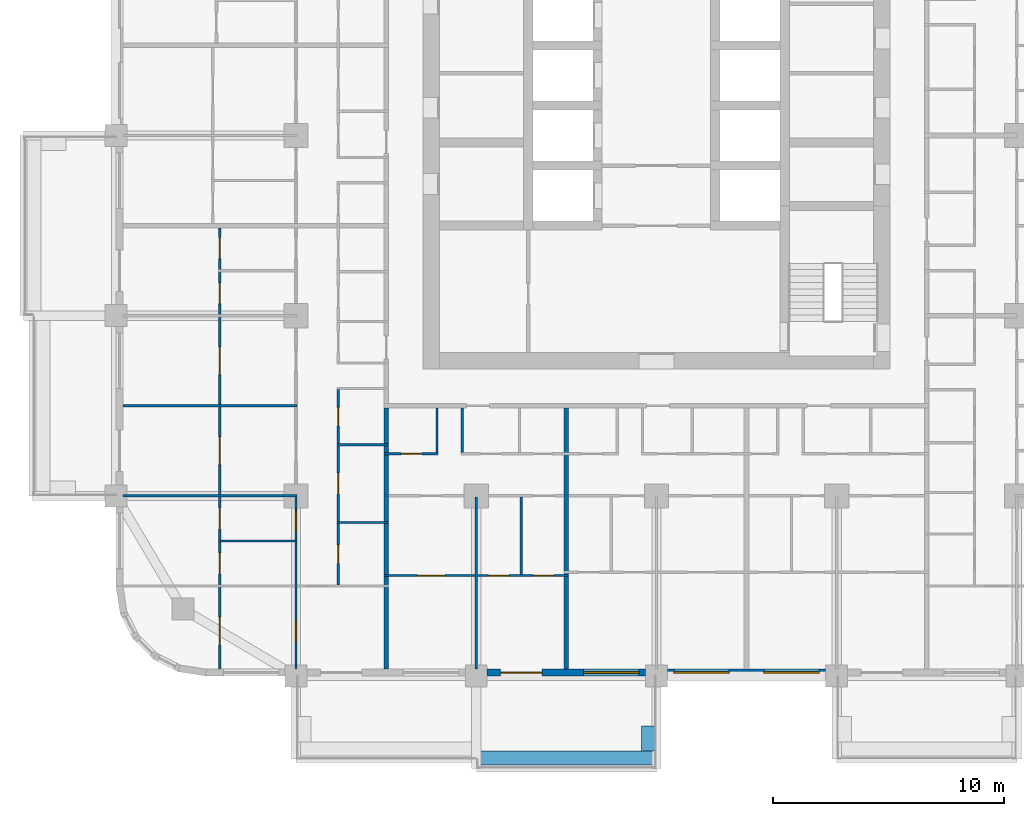
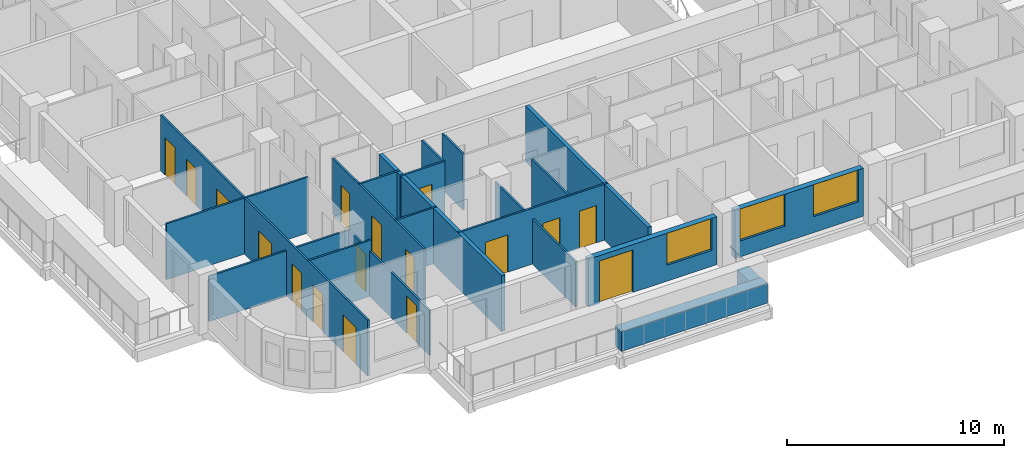
# One storey, part 3 of 18: 20 walls, 17 doors, 3 windows, 20 openings.
"""IFC4 building model written with IfcOpenShell, lengths in metres."""

from ifc_helpers import new_model, si_unit, direction, frame, frame_2d, origin, place, context, subcontext, project, spatial, rectangle, extrude, material, layer, layer_set, type_object, element, fill, save


model = new_model("IFC4")

# Units and contexts
model_context = context("Model", 3, precision=1e-05, world=origin(), true_north=direction((0.0, 1.0)))
body_context = subcontext(model_context, "Body", "Model", "MODEL_VIEW")
ifc_project = project(units=[si_unit("LENGTHUNIT", "METRE"), si_unit("AREAUNIT", "SQUARE_METRE"), si_unit("VOLUMEUNIT", "CUBIC_METRE"), si_unit("PLANEANGLEUNIT", "RADIAN"), si_unit("MASSUNIT", "GRAM", prefix="KILO")], contexts=[model_context])

# Site, building, storey
site_placement = place(None, origin())
site = spatial("IfcSite", under=ifc_project, at=site_placement, CompositionType="ELEMENT")
building_placement = place(site_placement, origin())
building = spatial("IfcBuilding", under=site, at=building_placement, Name="Ludao Terraces", CompositionType="ELEMENT")
storey_placement = place(building_placement, frame((0.0, 0.0, 61.39990234375)))
storey = spatial("IfcBuildingStorey", under=building, at=storey_placement, Name="L16", CompositionType="ELEMENT", Elevation=61.39990234375)

# Walls
ifc_material_1 = material(Name="Concrete C40", Category="concrete")
ifc_layer_1 = layer(ifc_material_1, 0.60009765625)
ifc_layer_set_1 = layer_set([ifc_layer_1], Name="ENV Planter trough 600")
wall_type_1 = type_object("IfcWallType", Name="ENV Planter trough 600", PredefinedType="USERDEFINED", material=ifc_layer_set_1)
wall_1_placement = place(storey_placement, frame((77.199951171875, 38.050048828125, 0.0), z_axis=(0.0, 0.0, 1.0), x_axis=(1.0, 0.0, 0.0)))
element("IfcWall", 1, at=wall_1_placement, inside=storey, type_object=wall_type_1, Name="PL-L16-S2", ObjectType="PLANTER", PredefinedType="USERDEFINED", context=body_context, shape_type="SweptSolid", body=[
    extrude(rectangle(XDim=7.800048828125, YDim=0.60009765625, at=frame_2d((3.89990234375, 0.0))), origin(), (0.0, 0.0, 1.0), 1.10009765625),
])
wall_2_placement = place(storey_placement, frame((84.64990234375, 38.35009765625, 0.0), z_axis=(0.0, 0.0, 1.0), x_axis=(0.0, 1.0, 0.0)))
element("IfcWall", 2, at=wall_2_placement, inside=storey, type_object=wall_type_1, Name="PL-L16-S2-SB", ObjectType="PLANTER", PredefinedType="USERDEFINED", context=body_context, shape_type="SweptSolid", body=[
    extrude(rectangle(XDim=1.099853515625, YDim=0.60009765625, at=frame_2d((0.5498046875, 0.0))), origin(), (0.0, 0.0, 1.0), 1.10009765625),
])

# Wall, openings, door, window
ifc_material_2 = material(Name="Granite cladding", Category="masonry")
ifc_layer_2 = layer(ifc_material_2, 0.0400390625, Category="stone")
ifc_material_3 = material(Name="Mineral wool")
ifc_layer_3 = layer(ifc_material_3, 0.06005859375)
ifc_layer_4 = layer(ifc_material_1, 0.199951171875, Category="concrete")
ifc_layer_set_2 = layer_set([ifc_layer_2, ifc_layer_3, ifc_layer_4], Name="ENV Stone-clad wall 300")
wall_type_2 = type_object("IfcWallType", Name="ENV Stone-clad wall 300", PredefinedType="SOLIDWALL", material=ifc_layer_set_2)
wall_3_placement = place(storey_placement, frame((77.675048828125, 41.75, 0.0), z_axis=(0.0, 0.0, 1.0), x_axis=(1.0, 0.0, 0.0)))
wall_3 = element("IfcWall", 3, at=wall_3_placement, inside=storey, type_object=wall_type_2, Name="EW-L16-S3", PredefinedType="SOLIDWALL", context=body_context, shape_type="SweptSolid", body=[
    extrude(rectangle(XDim=6.849853515625, YDim=0.300048828125, at=frame_2d((3.4248046875, 0.0))), origin(), (0.0, 0.0, 1.0), 2.7001953125),
])
opening_1_placement = place(wall_3_placement, frame((0.574951171875, 0.0, 0.0)))
opening_1 = element("IfcOpeningElement", 4, at=opening_1_placement, cuts=wall_3, Name="Opening BD", PredefinedType="OPENING", context=body_context, shape_type="SweptSolid", body=[
    extrude(rectangle(XDim=1.800048828125, YDim=2.39990234375, at=frame_2d((0.89990234375, 1.199951171875))), frame((0.0, 0.16015625, 0.0), z_axis=(0.0, -1.0, 0.0), x_axis=(1.0, 0.0, 0.0)), (0.0, 0.0, 1.0), 0.320068359375),
])
opening_2_placement = place(wall_3_placement, frame((4.175048828125, 0.0, 0.89990234375)))
opening_2 = element("IfcOpeningElement", 5, at=opening_2_placement, cuts=wall_3, Name="Opening W1", PredefinedType="OPENING", context=body_context, shape_type="SweptSolid", body=[
    extrude(rectangle(XDim=2.39990234375, YDim=1.800048828125, at=frame_2d((1.199951171875, 0.89990234375))), frame((0.0, 0.16015625, 0.0), z_axis=(0.0, -1.0, 0.0), x_axis=(1.0, 0.0, 0.0)), (0.0, 0.0, 1.0), 0.320068359375),
])
ifc_material_4 = material(Name="Aluminium glazed door", Category="aluminium")
ifc_layer_5 = layer(ifc_material_4, 0.06005859375)
ifc_layer_set_3 = layer_set([ifc_layer_5], Name="ENV Balcony door BD 1800x2400")
door_type_1 = type_object("IfcDoorType", Name="ENV Balcony door BD 1800x2400", OperationType="DOUBLE_DOOR_SINGLE_SWING", PredefinedType="DOOR", material=ifc_layer_set_3)
door_1_placement = place(opening_1_placement, origin())
door_1 = element("IfcDoor", 6, at=door_1_placement, inside=storey, type_object=door_type_1, Name="BD-L16-S3-1", OperationType="DOUBLE_DOOR_SINGLE_SWING", OverallHeight=2.39990234375, OverallWidth=1.800048828125, PredefinedType="DOOR", context=body_context, shape_type="SweptSolid", body=[
    extrude(rectangle(XDim=1.800048828125, YDim=2.39990234375, at=frame_2d((0.89990234375, 1.199951171875))), frame((0.0, 0.02490234375, 0.0), z_axis=(0.0, -1.0, 0.0), x_axis=(1.0, 0.0, 0.0)), (0.0, 0.0, 1.0), 0.050048828125),
])
fill(opening_1, door_1)
ifc_material_5 = material(Name="Clear glass in aluminium frame", Category="aluminium")
ifc_layer_6 = layer(ifc_material_5, 0.06005859375)
ifc_layer_set_4 = layer_set([ifc_layer_6], Name="ENV Window W1 2400x1800")
window_type = type_object("IfcWindowType", Name="ENV Window W1 2400x1800", PartitioningType="DOUBLE_PANEL_VERTICAL", PredefinedType="WINDOW", material=ifc_layer_set_4)
window_1_placement = place(opening_2_placement, origin())
window_1 = element("IfcWindow", 7, at=window_1_placement, inside=storey, type_object=window_type, Name="W-L16-S3-2", OverallHeight=1.800048828125, OverallWidth=2.39990234375, PartitioningType="DOUBLE_PANEL_VERTICAL", PredefinedType="WINDOW", context=body_context, shape_type="SweptSolid", body=[
    extrude(rectangle(XDim=2.39990234375, YDim=1.800048828125, at=frame_2d((1.199951171875, 0.89990234375))), frame((0.0, 0.030029296875, 0.0), z_axis=(0.0, -1.0, 0.0), x_axis=(1.0, 0.0, 0.0)), (0.0, 0.0, 1.0), 0.06005859375),
])
fill(opening_2, window_1)

# Wall, openings, windows
wall_4_placement = place(storey_placement, frame((85.47509765625, 41.75, 0.0), z_axis=(0.0, 0.0, 1.0), x_axis=(1.0, 0.0, 0.0)))
wall_4 = element("IfcWall", 8, at=wall_4_placement, inside=storey, type_object=wall_type_2, Name="EW-L16-S4", PredefinedType="SOLIDWALL", context=body_context, shape_type="SweptSolid", body=[
    extrude(rectangle(XDim=6.849853515625, YDim=0.300048828125, at=frame_2d((3.4248046875, 0.0))), origin(), (0.0, 0.0, 1.0), 2.7001953125),
])
opening_3_placement = place(wall_4_placement, frame((0.27490234375, 0.0, 0.89990234375)))
opening_3 = element("IfcOpeningElement", 9, at=opening_3_placement, cuts=wall_4, Name="Opening W1", PredefinedType="OPENING", context=body_context, shape_type="SweptSolid", body=[
    extrude(rectangle(XDim=2.39990234375, YDim=1.800048828125, at=frame_2d((1.199951171875, 0.89990234375))), frame((0.0, 0.16015625, 0.0), z_axis=(0.0, -1.0, 0.0), x_axis=(1.0, 0.0, 0.0)), (0.0, 0.0, 1.0), 0.320068359375),
])
opening_4_placement = place(wall_4_placement, frame((4.175048828125, 0.0, 0.89990234375)))
opening_4 = element("IfcOpeningElement", 10, at=opening_4_placement, cuts=wall_4, Name="Opening W1", PredefinedType="OPENING", context=body_context, shape_type="SweptSolid", body=[
    extrude(rectangle(XDim=2.39990234375, YDim=1.800048828125, at=frame_2d((1.199951171875, 0.89990234375))), frame((0.0, 0.16015625, 0.0), z_axis=(0.0, -1.0, 0.0), x_axis=(1.0, 0.0, 0.0)), (0.0, 0.0, 1.0), 0.320068359375),
])
window_2_placement = place(opening_3_placement, origin())
window_2 = element("IfcWindow", 11, at=window_2_placement, inside=storey, type_object=window_type, Name="W-L16-S4-1", OverallHeight=1.800048828125, OverallWidth=2.39990234375, PartitioningType="DOUBLE_PANEL_VERTICAL", PredefinedType="WINDOW", context=body_context, shape_type="SweptSolid", body=[
    extrude(rectangle(XDim=2.39990234375, YDim=1.800048828125, at=frame_2d((1.199951171875, 0.89990234375))), frame((0.0, 0.030029296875, 0.0), z_axis=(0.0, -1.0, 0.0), x_axis=(1.0, 0.0, 0.0)), (0.0, 0.0, 1.0), 0.06005859375),
])
fill(opening_3, window_2)
window_3_placement = place(opening_4_placement, origin())
window_3 = element("IfcWindow", 12, at=window_3_placement, inside=storey, type_object=window_type, Name="W-L16-S4-2", OverallHeight=1.800048828125, OverallWidth=2.39990234375, PartitioningType="DOUBLE_PANEL_VERTICAL", PredefinedType="WINDOW", context=body_context, shape_type="SweptSolid", body=[
    extrude(rectangle(XDim=2.39990234375, YDim=1.800048828125, at=frame_2d((1.199951171875, 0.89990234375))), frame((0.0, 0.030029296875, 0.0), z_axis=(0.0, -1.0, 0.0), x_axis=(1.0, 0.0, 0.0)), (0.0, 0.0, 1.0), 0.06005859375),
])
fill(opening_4, window_3)

# Wall, openings, doors
ifc_material_6 = material(Name="Gypsum plasterboard", Category="gypsum")
ifc_layer_7 = layer(ifc_material_6, 0.012451171875, Category="gypsum")
ifc_layer_8 = layer(ifc_material_3, 0.06005859375, Name="insulation")
ifc_material_7 = material(Name="Steel Q235", Category="steel")
ifc_layer_9 = layer(ifc_material_7, 0.014892578125, Name="stud")
ifc_layer_10 = layer(ifc_material_6, 0.012451171875, Category="gypsum")
ifc_layer_set_5 = layer_set([ifc_layer_7, ifc_layer_8, ifc_layer_9, ifc_layer_10], Name="INT Partition 100")
wall_type_3 = type_object("IfcWallType", Name="INT Partition 100", PredefinedType="PARTITIONING", material=ifc_layer_set_5)
wall_5_placement = place(storey_placement, frame((73.2001953125, 45.949951171875, 0.0), z_axis=(0.0, 0.0, 1.0), x_axis=(1.0, 0.0, 0.0)))
wall_5 = element("IfcWall", 13, at=wall_5_placement, inside=storey, type_object=wall_type_3, Name="PW-L16-PW002", PredefinedType="PARTITIONING", context=body_context, shape_type="SweptSolid", body=[
    extrude(rectangle(XDim=8.0, YDim=0.10009765625, at=frame_2d((4.0, 0.0))), origin(), (0.0, 0.0, 1.0), 3.150146484375),
])
opening_5_placement = place(wall_5_placement, frame((1.449951171875, 0.0, 0.0)))
opening_5 = element("IfcOpeningElement", 14, at=opening_5_placement, cuts=wall_5, Name="Opening R05-007", PredefinedType="OPENING", context=body_context, shape_type="SweptSolid", body=[
    extrude(rectangle(XDim=1.199951171875, YDim=2.10009765625, at=frame_2d((0.60009765625, 1.050048828125))), frame((0.0, 0.06005859375, 0.0), z_axis=(0.0, -1.0, 0.0), x_axis=(1.0, 0.0, 0.0)), (0.0, 0.0, 1.0), 0.1201171875),
])
opening_6_placement = place(wall_5_placement, frame((4.52490234375, 0.0, 0.0)))
opening_6 = element("IfcOpeningElement", 15, at=opening_6_placement, cuts=wall_5, Name="Opening R05-008", PredefinedType="OPENING", context=body_context, shape_type="SweptSolid", body=[
    extrude(rectangle(XDim=0.89990234375, YDim=2.10009765625, at=frame_2d((0.449951171875, 1.050048828125))), frame((0.0, 0.06005859375, 0.0), z_axis=(0.0, -1.0, 0.0), x_axis=(1.0, 0.0, 0.0)), (0.0, 0.0, 1.0), 0.1201171875),
])
opening_7_placement = place(wall_5_placement, frame((6.474853515625, 0.0, 0.0)))
opening_7 = element("IfcOpeningElement", 16, at=opening_7_placement, cuts=wall_5, Name="Opening R05-009", PredefinedType="OPENING", context=body_context, shape_type="SweptSolid", body=[
    extrude(rectangle(XDim=0.89990234375, YDim=2.10009765625, at=frame_2d((0.449951171875, 1.050048828125))), frame((0.0, 0.06005859375, 0.0), z_axis=(0.0, -1.0, 0.0), x_axis=(1.0, 0.0, 0.0)), (0.0, 0.0, 1.0), 0.1201171875),
])
ifc_material_8 = material(Name="Timber door leaf", Category="wood")
door_type_2 = type_object("IfcDoorType", Name="INT Bathroom door 900", OperationType="SINGLE_SWING_LEFT", PredefinedType="DOOR", material=ifc_material_8)
door_2_placement = place(opening_6_placement, origin())
door_2 = element("IfcDoor", 17, at=door_2_placement, inside=storey, type_object=door_type_2, Name="DOOR 008", OperationType="SINGLE_SWING_LEFT", OverallHeight=2.10009765625, OverallWidth=0.89990234375, PredefinedType="DOOR", context=body_context, shape_type="SweptSolid", body=[
    extrude(rectangle(XDim=0.89990234375, YDim=2.10009765625, at=frame_2d((0.449951171875, 1.050048828125))), frame((0.0, 0.02490234375, 0.0), z_axis=(0.0, -1.0, 0.0), x_axis=(1.0, 0.0, 0.0)), (0.0, 0.0, 1.0), 0.050048828125),
])
fill(opening_6, door_2)
door_type_3 = type_object("IfcDoorType", Name="INT Double door 1200", OperationType="DOUBLE_DOOR_SINGLE_SWING", PredefinedType="DOOR", material=ifc_material_8)
door_3_placement = place(opening_5_placement, origin())
door_3 = element("IfcDoor", 18, at=door_3_placement, inside=storey, type_object=door_type_3, Name="DOOR 007", OperationType="DOUBLE_DOOR_SINGLE_SWING", OverallHeight=2.10009765625, OverallWidth=1.199951171875, PredefinedType="DOOR", context=body_context, shape_type="SweptSolid", body=[
    extrude(rectangle(XDim=1.199951171875, YDim=2.10009765625, at=frame_2d((0.60009765625, 1.050048828125))), frame((0.0, 0.02490234375, 0.0), z_axis=(0.0, -1.0, 0.0), x_axis=(1.0, 0.0, 0.0)), (0.0, 0.0, 1.0), 0.050048828125),
])
fill(opening_5, door_3)
door_type_4 = type_object("IfcDoorType", Name="INT Room door 900", OperationType="SINGLE_SWING_LEFT", PredefinedType="DOOR", material=ifc_material_8)
door_4_placement = place(opening_7_placement, origin())
door_4 = element("IfcDoor", 19, at=door_4_placement, inside=storey, type_object=door_type_4, Name="DOOR 009", OperationType="SINGLE_SWING_LEFT", OverallHeight=2.10009765625, OverallWidth=0.89990234375, PredefinedType="DOOR", context=body_context, shape_type="SweptSolid", body=[
    extrude(rectangle(XDim=0.89990234375, YDim=2.10009765625, at=frame_2d((0.449951171875, 1.050048828125))), frame((0.0, 0.02490234375, 0.0), z_axis=(0.0, -1.0, 0.0), x_axis=(1.0, 0.0, 0.0)), (0.0, 0.0, 1.0), 0.050048828125),
])
fill(opening_7, door_4)

# Walls
wall_6_placement = place(storey_placement, frame((66.050048828125, 47.449951171875, 0.0), z_axis=(0.0, 0.0, 1.0), x_axis=(1.0, 0.0, 0.0)))
element("IfcWall", 20, at=wall_6_placement, inside=storey, type_object=wall_type_3, Name="PW-L16-PW004", PredefinedType="PARTITIONING", context=body_context, shape_type="SweptSolid", body=[
    extrude(rectangle(XDim=3.400146484375, YDim=0.10009765625, at=frame_2d((1.7001953125, 0.0))), origin(), (0.0, 0.0, 1.0), 3.150146484375),
])
wall_7_placement = place(storey_placement, frame((71.18017578125, 48.25, 0.0), z_axis=(0.0, 0.0, 1.0), x_axis=(1.0, 0.0, 0.0)))
element("IfcWall", 21, at=wall_7_placement, inside=storey, type_object=wall_type_3, Name="PW-L16-PW006", PredefinedType="PARTITIONING", context=body_context, shape_type="SweptSolid", body=[
    extrude(rectangle(XDim=2.219970703125, YDim=0.10009765625, at=frame_2d((1.10986328125, 0.0))), origin(), (0.0, 0.0, 1.0), 3.150146484375),
])
wall_8_placement = place(storey_placement, frame((61.900146484375, 49.39990234375, 0.0), z_axis=(0.0, 0.0, 1.0), x_axis=(1.0, 0.0, 0.0)))
element("IfcWall", 22, at=wall_8_placement, inside=storey, type_object=wall_type_3, Name="PW-L16-PW007", PredefinedType="PARTITIONING", context=body_context, shape_type="SweptSolid", body=[
    extrude(rectangle(XDim=7.550048828125, YDim=0.10009765625, at=frame_2d((3.77490234375, 0.0))), origin(), (0.0, 0.0, 1.0), 2.550048828125),
])

# Wall, opening, door
wall_9_placement = place(storey_placement, frame((73.2001953125, 51.22998046875, 0.0), z_axis=(0.0, 0.0, 1.0), x_axis=(1.0, 0.0, 0.0)))
wall_9 = element("IfcWall", 23, at=wall_9_placement, inside=storey, type_object=wall_type_3, Name="PW-L16-PW011", PredefinedType="PARTITIONING", context=body_context, shape_type="SweptSolid", body=[
    extrude(rectangle(XDim=2.349853515625, YDim=0.10009765625, at=frame_2d((1.1748046875, 0.0))), origin(), (0.0, 0.0, 1.0), 3.150146484375),
])
opening_8_placement = place(wall_9_placement, frame((0.75, 0.0, 0.0)))
opening_8 = element("IfcOpeningElement", 24, at=opening_8_placement, cuts=wall_9, Name="Opening R05-033", PredefinedType="OPENING", context=body_context, shape_type="SweptSolid", body=[
    extrude(rectangle(XDim=0.89990234375, YDim=2.10009765625, at=frame_2d((0.449951171875, 1.050048828125))), frame((0.0, 0.06005859375, 0.0), z_axis=(0.0, -1.0, 0.0), x_axis=(1.0, 0.0, 0.0)), (0.0, 0.0, 1.0), 0.1201171875),
])
door_5_placement = place(opening_8_placement, origin())
door_5 = element("IfcDoor", 25, at=door_5_placement, inside=storey, type_object=door_type_2, Name="DOOR 033", OperationType="SINGLE_SWING_LEFT", OverallHeight=2.10009765625, OverallWidth=0.89990234375, PredefinedType="DOOR", context=body_context, shape_type="SweptSolid", body=[
    extrude(rectangle(XDim=0.89990234375, YDim=2.10009765625, at=frame_2d((0.449951171875, 1.050048828125))), frame((0.0, 0.02490234375, 0.0), z_axis=(0.0, -1.0, 0.0), x_axis=(1.0, 0.0, 0.0)), (0.0, 0.0, 1.0), 0.050048828125),
])
fill(opening_8, door_5)

# Walls
wall_10_placement = place(storey_placement, frame((71.18017578125, 51.6201171875, 0.0), z_axis=(0.0, 0.0, 1.0), x_axis=(1.0, 0.0, 0.0)))
element("IfcWall", 26, at=wall_10_placement, inside=storey, type_object=wall_type_3, Name="PW-L16-PW016", PredefinedType="PARTITIONING", context=body_context, shape_type="SweptSolid", body=[
    extrude(rectangle(XDim=2.219970703125, YDim=0.10009765625, at=frame_2d((1.10986328125, 0.0))), origin(), (0.0, 0.0, 1.0), 3.150146484375),
])
wall_11_placement = place(storey_placement, frame((61.900146484375, 53.300048828125, 0.0), z_axis=(0.0, 0.0, 1.0), x_axis=(1.0, 0.0, 0.0)))
element("IfcWall", 27, at=wall_11_placement, inside=storey, type_object=wall_type_3, Name="PW-L16-PW018", PredefinedType="PARTITIONING", context=body_context, shape_type="SweptSolid", body=[
    extrude(rectangle(XDim=7.550048828125, YDim=0.10009765625, at=frame_2d((3.77490234375, 0.0))), origin(), (0.0, 0.0, 1.0), 3.150146484375),
])

# Wall, openings, doors
wall_12_placement = place(storey_placement, frame((66.10009765625, 41.900146484375, 0.0), z_axis=(0.0, 0.0, 1.0), x_axis=(0.0, 1.0, 0.0)))
wall_12 = element("IfcWall", 28, at=wall_12_placement, inside=storey, type_object=wall_type_3, Name="PW-L16-PW084", PredefinedType="PARTITIONING", context=body_context, shape_type="SweptSolid", body=[
    extrude(rectangle(XDim=19.099853515625, YDim=0.10009765625, at=frame_2d((9.5498046875, 0.0))), origin(), (0.0, 0.0, 1.0), 3.150146484375),
])
opening_9_placement = place(wall_12_placement, frame((1.050048828125, 0.0, 0.0)))
opening_9 = element("IfcOpeningElement", 29, at=opening_9_placement, cuts=wall_12, Name="Opening R05-001", PredefinedType="OPENING", context=body_context, shape_type="SweptSolid", body=[
    extrude(rectangle(XDim=1.199951171875, YDim=2.10009765625, at=frame_2d((0.60009765625, 1.050048828125))), frame((0.0, 0.06005859375, 0.0), z_axis=(0.0, -1.0, 0.0), x_axis=(1.0, 0.0, 0.0)), (0.0, 0.0, 1.0), 0.1201171875),
])
opening_10_placement = place(wall_12_placement, frame((4.125, 0.0, 0.0)))
opening_10 = element("IfcOpeningElement", 30, at=opening_10_placement, cuts=wall_12, Name="Opening R05-016", PredefinedType="OPENING", context=body_context, shape_type="SweptSolid", body=[
    extrude(rectangle(XDim=0.89990234375, YDim=2.10009765625, at=frame_2d((0.449951171875, 1.050048828125))), frame((0.0, 0.06005859375, 0.0), z_axis=(0.0, -1.0, 0.0), x_axis=(1.0, 0.0, 0.0)), (0.0, 0.0, 1.0), 0.1201171875),
])
opening_11_placement = place(wall_12_placement, frame((6.074951171875, 0.0, 0.0)))
opening_11 = element("IfcOpeningElement", 31, at=opening_11_placement, cuts=wall_12, Name="Opening R05-022", PredefinedType="OPENING", context=body_context, shape_type="SweptSolid", body=[
    extrude(rectangle(XDim=0.89990234375, YDim=2.10009765625, at=frame_2d((0.449951171875, 1.050048828125))), frame((0.0, 0.06005859375, 0.0), z_axis=(0.0, -1.0, 0.0), x_axis=(1.0, 0.0, 0.0)), (0.0, 0.0, 1.0), 0.1201171875),
])
opening_12_placement = place(wall_12_placement, frame((8.85009765625, 0.0, 0.0)))
opening_12 = element("IfcOpeningElement", 32, at=opening_12_placement, cuts=wall_12, Name="Opening R05-042", PredefinedType="OPENING", context=body_context, shape_type="SweptSolid", body=[
    extrude(rectangle(XDim=1.199951171875, YDim=2.10009765625, at=frame_2d((0.60009765625, 1.050048828125))), frame((0.0, 0.06005859375, 0.0), z_axis=(0.0, -1.0, 0.0), x_axis=(1.0, 0.0, 0.0)), (0.0, 0.0, 1.0), 0.1201171875),
])
opening_13_placement = place(wall_12_placement, frame((12.75, 0.0, 0.0)))
opening_13 = element("IfcOpeningElement", 33, at=opening_13_placement, cuts=wall_12, Name="Opening R05-052", PredefinedType="OPENING", context=body_context, shape_type="SweptSolid", body=[
    extrude(rectangle(XDim=1.199951171875, YDim=2.10009765625, at=frame_2d((0.60009765625, 1.050048828125))), frame((0.0, 0.06005859375, 0.0), z_axis=(0.0, -1.0, 0.0), x_axis=(1.0, 0.0, 0.0)), (0.0, 0.0, 1.0), 0.1201171875),
])
opening_14_placement = place(wall_12_placement, frame((15.824951171875, 0.0, 0.0)))
opening_14 = element("IfcOpeningElement", 34, at=opening_14_placement, cuts=wall_12, Name="Opening R05-065", PredefinedType="OPENING", context=body_context, shape_type="SweptSolid", body=[
    extrude(rectangle(XDim=0.89990234375, YDim=2.10009765625, at=frame_2d((0.449951171875, 1.050048828125))), frame((0.0, 0.06005859375, 0.0), z_axis=(0.0, -1.0, 0.0), x_axis=(1.0, 0.0, 0.0)), (0.0, 0.0, 1.0), 0.1201171875),
])
opening_15_placement = place(wall_12_placement, frame((17.77490234375, 0.0, 0.0)))
opening_15 = element("IfcOpeningElement", 35, at=opening_15_placement, cuts=wall_12, Name="Opening R05-070", PredefinedType="OPENING", context=body_context, shape_type="SweptSolid", body=[
    extrude(rectangle(XDim=0.89990234375, YDim=2.10009765625, at=frame_2d((0.449951171875, 1.050048828125))), frame((0.0, 0.06005859375, 0.0), z_axis=(0.0, -1.0, 0.0), x_axis=(1.0, 0.0, 0.0)), (0.0, 0.0, 1.0), 0.1201171875),
])
door_6_placement = place(opening_10_placement, origin())
door_6 = element("IfcDoor", 36, at=door_6_placement, inside=storey, type_object=door_type_2, Name="DOOR 016", OperationType="SINGLE_SWING_RIGHT", OverallHeight=2.10009765625, OverallWidth=0.89990234375, PredefinedType="DOOR", context=body_context, shape_type="SweptSolid", body=[
    extrude(rectangle(XDim=0.89990234375, YDim=2.10009765625, at=frame_2d((0.449951171875, 1.050048828125))), frame((0.0, 0.02490234375, 0.0), z_axis=(0.0, -1.0, 0.0), x_axis=(1.0, 0.0, 0.0)), (0.0, 0.0, 1.0), 0.050048828125),
])
fill(opening_10, door_6)
door_7_placement = place(opening_14_placement, origin())
door_7 = element("IfcDoor", 37, at=door_7_placement, inside=storey, type_object=door_type_2, Name="DOOR 065", OperationType="SINGLE_SWING_RIGHT", OverallHeight=2.10009765625, OverallWidth=0.89990234375, PredefinedType="DOOR", context=body_context, shape_type="SweptSolid", body=[
    extrude(rectangle(XDim=0.89990234375, YDim=2.10009765625, at=frame_2d((0.449951171875, 1.050048828125))), frame((0.0, 0.02490234375, 0.0), z_axis=(0.0, -1.0, 0.0), x_axis=(1.0, 0.0, 0.0)), (0.0, 0.0, 1.0), 0.050048828125),
])
fill(opening_14, door_7)
door_8_placement = place(opening_9_placement, origin())
door_8 = element("IfcDoor", 38, at=door_8_placement, inside=storey, type_object=door_type_3, Name="DOOR 001", OperationType="DOUBLE_DOOR_SINGLE_SWING", OverallHeight=2.10009765625, OverallWidth=1.199951171875, PredefinedType="DOOR", context=body_context, shape_type="SweptSolid", body=[
    extrude(rectangle(XDim=1.199951171875, YDim=2.10009765625, at=frame_2d((0.60009765625, 1.050048828125))), frame((0.0, 0.02490234375, 0.0), z_axis=(0.0, -1.0, 0.0), x_axis=(1.0, 0.0, 0.0)), (0.0, 0.0, 1.0), 0.050048828125),
])
fill(opening_9, door_8)
door_9_placement = place(opening_12_placement, origin())
door_9 = element("IfcDoor", 39, at=door_9_placement, inside=storey, type_object=door_type_3, Name="DOOR 042", OperationType="DOUBLE_DOOR_SINGLE_SWING", OverallHeight=2.10009765625, OverallWidth=1.199951171875, PredefinedType="DOOR", context=body_context, shape_type="SweptSolid", body=[
    extrude(rectangle(XDim=1.199951171875, YDim=2.10009765625, at=frame_2d((0.60009765625, 1.050048828125))), frame((0.0, 0.02490234375, 0.0), z_axis=(0.0, -1.0, 0.0), x_axis=(1.0, 0.0, 0.0)), (0.0, 0.0, 1.0), 0.050048828125),
])
fill(opening_12, door_9)
door_10_placement = place(opening_13_placement, origin())
door_10 = element("IfcDoor", 40, at=door_10_placement, inside=storey, type_object=door_type_3, Name="DOOR 052", OperationType="DOUBLE_DOOR_SINGLE_SWING", OverallHeight=2.10009765625, OverallWidth=1.199951171875, PredefinedType="DOOR", context=body_context, shape_type="SweptSolid", body=[
    extrude(rectangle(XDim=1.199951171875, YDim=2.10009765625, at=frame_2d((0.60009765625, 1.050048828125))), frame((0.0, 0.02490234375, 0.0), z_axis=(0.0, -1.0, 0.0), x_axis=(1.0, 0.0, 0.0)), (0.0, 0.0, 1.0), 0.050048828125),
])
fill(opening_13, door_10)
door_11_placement = place(opening_11_placement, origin())
door_11 = element("IfcDoor", 41, at=door_11_placement, inside=storey, type_object=door_type_4, Name="DOOR 022", OperationType="SINGLE_SWING_LEFT", OverallHeight=2.10009765625, OverallWidth=0.89990234375, PredefinedType="DOOR", context=body_context, shape_type="SweptSolid", body=[
    extrude(rectangle(XDim=0.89990234375, YDim=2.10009765625, at=frame_2d((0.449951171875, 1.050048828125))), frame((0.0, 0.02490234375, 0.0), z_axis=(0.0, -1.0, 0.0), x_axis=(1.0, 0.0, 0.0)), (0.0, 0.0, 1.0), 0.050048828125),
])
fill(opening_11, door_11)
door_12_placement = place(opening_15_placement, origin())
door_12 = element("IfcDoor", 42, at=door_12_placement, inside=storey, type_object=door_type_4, Name="DOOR 070", OperationType="SINGLE_SWING_RIGHT", OverallHeight=2.10009765625, OverallWidth=0.89990234375, PredefinedType="DOOR", context=body_context, shape_type="SweptSolid", body=[
    extrude(rectangle(XDim=0.89990234375, YDim=2.10009765625, at=frame_2d((0.449951171875, 1.050048828125))), frame((0.0, 0.02490234375, 0.0), z_axis=(0.0, -1.0, 0.0), x_axis=(1.0, 0.0, 0.0)), (0.0, 0.0, 1.0), 0.050048828125),
])
fill(opening_15, door_12)

wall_13_placement = place(storey_placement, frame((69.39990234375, 41.900146484375, 0.0), z_axis=(0.0, 0.0, 1.0), x_axis=(0.0, 1.0, 0.0)))
wall_13 = element("IfcWall", 43, at=wall_13_placement, inside=storey, type_object=wall_type_3, Name="PW-L16-PW085", PredefinedType="PARTITIONING", context=body_context, shape_type="SweptSolid", body=[
    extrude(rectangle(XDim=7.499755859375, YDim=0.10009765625, at=frame_2d((3.75, 0.0))), origin(), (0.0, 0.0, 1.0), 2.550048828125),
])
opening_16_placement = place(wall_13_placement, frame((1.199951171875, 0.0, 0.0)))
opening_16 = element("IfcOpeningElement", 44, at=opening_16_placement, cuts=wall_13, Name="Opening R05-002", PredefinedType="OPENING", context=body_context, shape_type="SweptSolid", body=[
    extrude(rectangle(XDim=0.89990234375, YDim=2.10009765625, at=frame_2d((0.449951171875, 1.050048828125))), frame((0.0, 0.06005859375, 0.0), z_axis=(0.0, -1.0, 0.0), x_axis=(1.0, 0.0, 0.0)), (0.0, 0.0, 1.0), 0.1201171875),
])
opening_17_placement = place(wall_13_placement, frame((5.949951171875, 0.0, 0.0)))
opening_17 = element("IfcOpeningElement", 45, at=opening_17_placement, cuts=wall_13, Name="Opening R05-021", PredefinedType="OPENING", context=body_context, shape_type="SweptSolid", body=[
    extrude(rectangle(XDim=0.89990234375, YDim=2.10009765625, at=frame_2d((0.449951171875, 1.050048828125))), frame((0.0, 0.06005859375, 0.0), z_axis=(0.0, -1.0, 0.0), x_axis=(1.0, 0.0, 0.0)), (0.0, 0.0, 1.0), 0.1201171875),
])
door_13_placement = place(opening_16_placement, origin())
door_13 = element("IfcDoor", 46, at=door_13_placement, inside=storey, type_object=door_type_4, Name="DOOR 002", OperationType="SINGLE_SWING_LEFT", OverallHeight=2.10009765625, OverallWidth=0.89990234375, PredefinedType="DOOR", context=body_context, shape_type="SweptSolid", body=[
    extrude(rectangle(XDim=0.89990234375, YDim=2.10009765625, at=frame_2d((0.449951171875, 1.050048828125))), frame((0.0, 0.02490234375, 0.0), z_axis=(0.0, -1.0, 0.0), x_axis=(1.0, 0.0, 0.0)), (0.0, 0.0, 1.0), 0.050048828125),
])
fill(opening_16, door_13)
door_14_placement = place(opening_17_placement, origin())
door_14 = element("IfcDoor", 47, at=door_14_placement, inside=storey, type_object=door_type_4, Name="DOOR 021", OperationType="SINGLE_SWING_LEFT", OverallHeight=2.10009765625, OverallWidth=0.89990234375, PredefinedType="DOOR", context=body_context, shape_type="SweptSolid", body=[
    extrude(rectangle(XDim=0.89990234375, YDim=2.10009765625, at=frame_2d((0.449951171875, 1.050048828125))), frame((0.0, 0.02490234375, 0.0), z_axis=(0.0, -1.0, 0.0), x_axis=(1.0, 0.0, 0.0)), (0.0, 0.0, 1.0), 0.050048828125),
])
fill(opening_17, door_14)

wall_14_placement = place(storey_placement, frame((71.22998046875, 45.550048828125, 0.0), z_axis=(0.0, 0.0, 1.0), x_axis=(0.0, 1.0, 0.0)))
wall_14 = element("IfcWall", 48, at=wall_14_placement, inside=storey, type_object=wall_type_3, Name="PW-L16-PW086", PredefinedType="PARTITIONING", context=body_context, shape_type="SweptSolid", body=[
    extrude(rectangle(XDim=8.449951171875, YDim=0.10009765625, at=frame_2d((4.22509765625, 0.0))), origin(), (0.0, 0.0, 1.0), 3.150146484375),
])
opening_18_placement = place(wall_14_placement, frame((0.925048828125, 0.0, 0.0)))
opening_18 = element("IfcOpeningElement", 49, at=opening_18_placement, cuts=wall_14, Name="Opening R05-018", PredefinedType="OPENING", context=body_context, shape_type="SweptSolid", body=[
    extrude(rectangle(XDim=0.800048828125, YDim=2.10009765625, at=frame_2d((0.39990234375, 1.050048828125))), frame((0.0, 0.06005859375, 0.0), z_axis=(0.0, -1.0, 0.0), x_axis=(1.0, 0.0, 0.0)), (0.0, 0.0, 1.0), 0.1201171875),
])
opening_19_placement = place(wall_14_placement, frame((3.93505859375, 0.0, 0.0)))
opening_19 = element("IfcOpeningElement", 50, at=opening_19_placement, cuts=wall_14, Name="Opening R05-030", PredefinedType="OPENING", context=body_context, shape_type="SweptSolid", body=[
    extrude(rectangle(XDim=0.89990234375, YDim=2.10009765625, at=frame_2d((0.449951171875, 1.050048828125))), frame((0.0, 0.06005859375, 0.0), z_axis=(0.0, -1.0, 0.0), x_axis=(1.0, 0.0, 0.0)), (0.0, 0.0, 1.0), 0.1201171875),
])
opening_20_placement = place(wall_14_placement, frame((6.885009765625, 0.0, 0.0)))
opening_20 = element("IfcOpeningElement", 51, at=opening_20_placement, cuts=wall_14, Name="Opening R05-046", PredefinedType="OPENING", context=body_context, shape_type="SweptSolid", body=[
    extrude(rectangle(XDim=0.800048828125, YDim=2.10009765625, at=frame_2d((0.39990234375, 1.050048828125))), frame((0.0, 0.06005859375, 0.0), z_axis=(0.0, -1.0, 0.0), x_axis=(1.0, 0.0, 0.0)), (0.0, 0.0, 1.0), 0.1201171875),
])
door_15_placement = place(opening_19_placement, origin())
door_15 = element("IfcDoor", 52, at=door_15_placement, inside=storey, type_object=door_type_4, Name="DOOR 030", OperationType="SINGLE_SWING_RIGHT", OverallHeight=2.10009765625, OverallWidth=0.89990234375, PredefinedType="DOOR", context=body_context, shape_type="SweptSolid", body=[
    extrude(rectangle(XDim=0.89990234375, YDim=2.10009765625, at=frame_2d((0.449951171875, 1.050048828125))), frame((0.0, 0.02490234375, 0.0), z_axis=(0.0, -1.0, 0.0), x_axis=(1.0, 0.0, 0.0)), (0.0, 0.0, 1.0), 0.050048828125),
])
fill(opening_19, door_15)
door_type_5 = type_object("IfcDoorType", Name="INT Store door 800", OperationType="SINGLE_SWING_LEFT", PredefinedType="DOOR", material=ifc_material_8)
door_16_placement = place(opening_18_placement, origin())
door_16 = element("IfcDoor", 53, at=door_16_placement, inside=storey, type_object=door_type_5, Name="DOOR 018", OperationType="SINGLE_SWING_RIGHT", OverallHeight=2.10009765625, OverallWidth=0.800048828125, PredefinedType="DOOR", context=body_context, shape_type="SweptSolid", body=[
    extrude(rectangle(XDim=0.800048828125, YDim=2.10009765625, at=frame_2d((0.39990234375, 1.050048828125))), frame((0.0, 0.02490234375, 0.0), z_axis=(0.0, -1.0, 0.0), x_axis=(1.0, 0.0, 0.0)), (0.0, 0.0, 1.0), 0.050048828125),
])
fill(opening_18, door_16)
door_17_placement = place(opening_20_placement, origin())
door_17 = element("IfcDoor", 54, at=door_17_placement, inside=storey, type_object=door_type_5, Name="DOOR 046", OperationType="SINGLE_SWING_RIGHT", OverallHeight=2.10009765625, OverallWidth=0.800048828125, PredefinedType="DOOR", context=body_context, shape_type="SweptSolid", body=[
    extrude(rectangle(XDim=0.800048828125, YDim=2.10009765625, at=frame_2d((0.39990234375, 1.050048828125))), frame((0.0, 0.02490234375, 0.0), z_axis=(0.0, -1.0, 0.0), x_axis=(1.0, 0.0, 0.0)), (0.0, 0.0, 1.0), 0.050048828125),
])
fill(opening_20, door_17)

# Walls
for number, where, z_axis, x_axis, name in (
    (55, (75.5, 51.280029296875, 0.0), (0.0, 0.0, 1.0), (0.0, 1.0, 0.0), "PW-L16-PW094"),
    (56, (76.60009765625, 51.280029296875, 0.0), (0.0, 0.0, 1.0), (0.0, 1.0, 0.0), "PW-L16-PW095"),
):
    element("IfcWall", number, at=place(storey_placement, frame(where, z_axis=z_axis, x_axis=x_axis)), inside=storey, type_object=wall_type_3, Name=name, PredefinedType="PARTITIONING", context=body_context, shape_type="SweptSolid", body=[
        extrude(rectangle(XDim=1.920166015625, YDim=0.10009765625, at=frame_2d((0.9599609375, 0.0))), origin(), (0.0, 0.0, 1.0), 3.150146484375),
    ])
wall_15_placement = place(storey_placement, frame((77.199951171875, 41.900146484375, 0.0), z_axis=(0.0, 0.0, 1.0), x_axis=(0.0, 1.0, 0.0)))
element("IfcWall", 57, at=wall_15_placement, inside=storey, type_object=wall_type_3, Name="PW-L16-PW096", PredefinedType="PARTITIONING", context=body_context, shape_type="SweptSolid", body=[
    extrude(rectangle(XDim=7.449951171875, YDim=0.10009765625, at=frame_2d((3.72509765625, 0.0))), origin(), (0.0, 0.0, 1.0), 2.550048828125),
])
wall_16_placement = place(storey_placement, frame((79.14990234375, 46.0, 0.0), z_axis=(0.0, 0.0, 1.0), x_axis=(0.0, 1.0, 0.0)))
element("IfcWall", 58, at=wall_16_placement, inside=storey, type_object=wall_type_3, Name="PW-L16-PW099", PredefinedType="PARTITIONING", context=body_context, shape_type="SweptSolid", body=[
    extrude(rectangle(XDim=3.35009765625, YDim=0.10009765625, at=frame_2d((1.675048828125, 0.0))), origin(), (0.0, 0.0, 1.0), 3.150146484375),
])
ifc_material_9 = material(Name="Autoclaved aerated concrete block B06 A3.5", Category="concrete")
ifc_layer_11 = layer(ifc_material_9, 0.199951171875)
ifc_layer_set_6 = layer_set([ifc_layer_11], Name="INT Party wall 200")
wall_type_4 = type_object("IfcWallType", Name="INT Party wall 200", PredefinedType="PARTITIONING", material=ifc_layer_set_6)
for number, where, z_axis, x_axis, name in (
    (59, (73.300048828125, 41.900146484375, 0.0), (0.0, 0.0, 1.0), (0.0, 1.0, 0.0), "PW-L16-PW091"),
    (60, (81.10009765625, 41.900146484375, 0.0), (0.0, 0.0, 1.0), (0.0, 1.0, 0.0), "PW-L16-PW101"),
):
    element("IfcWall", number, at=place(storey_placement, frame(where, z_axis=z_axis, x_axis=x_axis)), inside=storey, type_object=wall_type_4, Name=name, PredefinedType="PARTITIONING", context=body_context, shape_type="SweptSolid", body=[
        extrude(rectangle(XDim=11.300048828125, YDim=0.199951171875, at=frame_2d((5.64990234375, 0.0))), origin(), (0.0, 0.0, 1.0), 3.150146484375),
    ])

save(model, "model.ifc")
